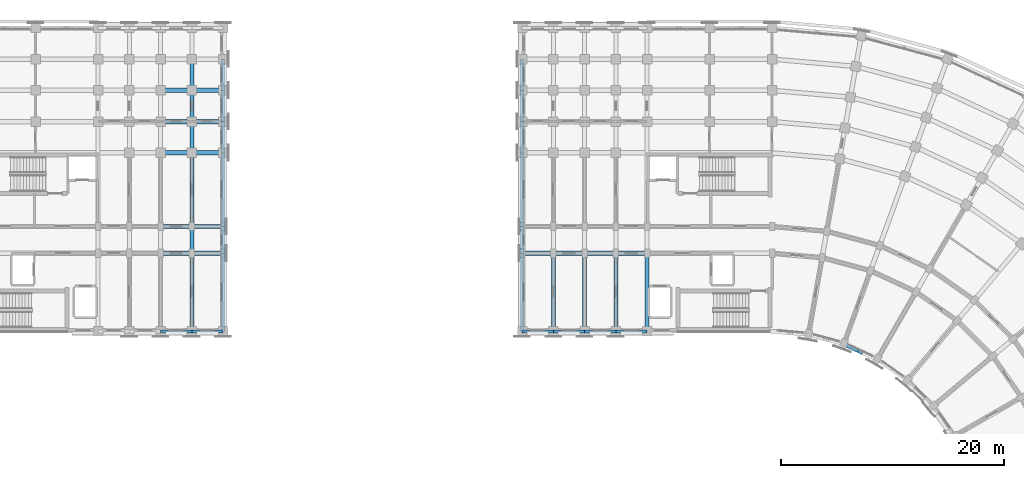
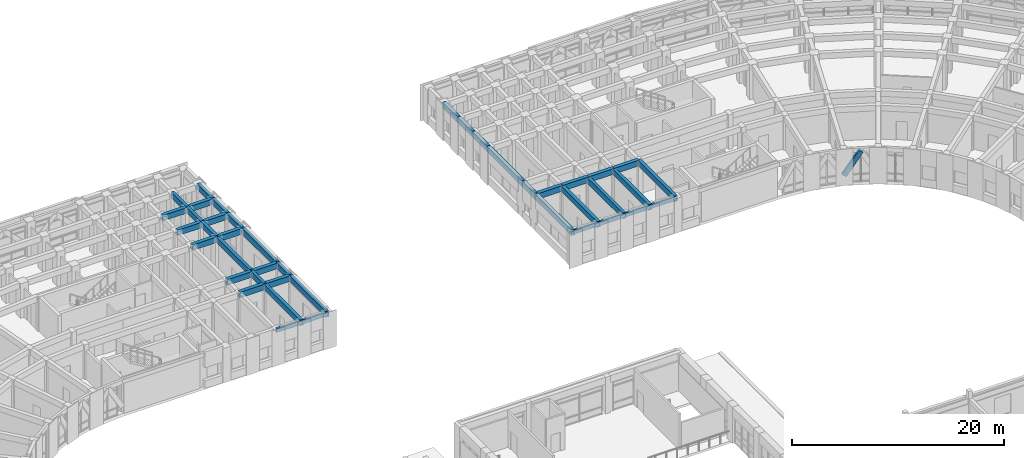
# One storey, part 28 of 97: 43 beams.
"""IFC4 building model written with IfcOpenShell, lengths in metres."""

from ifc_helpers import new_model, si_unit, direction, frame, origin, origin_2d, place, context, subcontext, project, spatial, rectangle, extrude, material, material_profile, profile_set, type_object, element, save


model = new_model("IFC4")

# Units and contexts
model_context = context("Model", 3, precision=1e-05, world=origin(), true_north=direction((0.0, 1.0)))
body_context = subcontext(model_context, "Body", "Model", "MODEL_VIEW")
ifc_project = project(units=[si_unit("LENGTHUNIT", "METRE"), si_unit("AREAUNIT", "SQUARE_METRE"), si_unit("VOLUMEUNIT", "CUBIC_METRE"), si_unit("PLANEANGLEUNIT", "RADIAN"), si_unit("MASSUNIT", "GRAM", prefix="KILO")], contexts=[model_context])

# Site, building, storey
site_placement = place(None, origin())
site = spatial("IfcSite", under=ifc_project, at=site_placement, CompositionType="ELEMENT")
building_placement = place(site_placement, origin())
building = spatial("IfcBuilding", under=site, at=building_placement, Name="Kiranvali Square Residences", CompositionType="ELEMENT")
storey_placement = place(building_placement, frame((0.0, 0.0, 4.5)))
storey = spatial("IfcBuildingStorey", under=building, at=storey_placement, Name="L01", CompositionType="ELEMENT", Elevation=4.5)

# Beams
ifc_material_1 = material(Name="Concrete M40 (40 MPa)", Category="concrete")
ifc_material_profile_1 = material_profile(ifc_material_1, rectangle(XDim=0.35009765625, YDim=0.5, at=origin_2d()), Name="RC 350x500")
ifc_profile_set_1 = profile_set([ifc_material_profile_1], Name="Concrete M40 (40 MPa)")
beam_type_1 = type_object("IfcBeamType", Name="AR-M40-350x500", PredefinedType="USERDEFINED", material=ifc_profile_set_1)
beam_1_placement = place(storey_placement, frame((126.26611328125, 105.44921875, 0.89990234375), z_axis=(0.455517776274, -0.212370292662, 0.864524386176), x_axis=(0.422551033128, 0.906339133218, 0.0)))
element("IfcBeam", 1, at=beam_1_placement, inside=storey, type_object=beam_type_1, Name="Classical pointed Ottoman arch rib ARCH-B-CRV-0-02.1", ObjectType="ARCH RIB", PredefinedType="USERDEFINED", context=body_context, shape_type="SweptSolid", body=[
    extrude(rectangle(XDim=0.35009765625, YDim=0.5, at=origin_2d()), origin(), (0.0, 0.0, 1.0), 3.180908203125),
])
ifc_material_profile_2 = material_profile(ifc_material_1, rectangle(XDim=0.35009765625, YDim=0.64990234375, at=origin_2d()), Name="RC 350x650")
ifc_profile_set_2 = profile_set([ifc_material_profile_2], Name="Concrete M40 (40 MPa)")
beam_type_2 = type_object("IfcBeamType", Name="BM-M40-350x650", PredefinedType="BEAM", material=ifc_profile_set_2)
beam_2_placement = place(storey_placement, frame((67.800048828125, 106.60009765625, 3.655029296875), z_axis=(0.0, 1.0, 0.0), x_axis=(-1.0, 0.0, 0.0)))
element("IfcBeam", 2, at=beam_2_placement, inside=storey, type_object=beam_type_2, Name="L01 beam BM-A-L01-A1T4-01", PredefinedType="BEAM", context=body_context, shape_type="SweptSolid", body=[
    extrude(rectangle(XDim=0.35009765625, YDim=0.64990234375, at=origin_2d()), origin(), (0.0, 0.0, 1.0), 7.0),
])
beam_3_placement = place(storey_placement, frame((67.800048828125, 113.60009765625, 3.655029296875), z_axis=(0.0, 1.0, 0.0), x_axis=(-1.0, 0.0, 0.0)))
element("IfcBeam", 3, at=beam_3_placement, inside=storey, type_object=beam_type_2, Name="L01 beam BM-A-L01-A1T4-12", PredefinedType="BEAM", context=body_context, shape_type="SweptSolid", body=[
    extrude(rectangle(XDim=0.35009765625, YDim=0.64990234375, at=origin_2d()), origin(), (0.0, 0.0, 1.0), 2.39990234375),
])
beam_4_placement = place(storey_placement, frame((67.800048828125, 116.0, 3.655029296875), z_axis=(0.0, 1.0, 0.0), x_axis=(-1.0, 0.0, 0.0)))
element("IfcBeam", 4, at=beam_4_placement, inside=storey, type_object=beam_type_2, Name="L01 beam BM-A-L01-A1T4-23", PredefinedType="BEAM", context=body_context, shape_type="SweptSolid", body=[
    extrude(rectangle(XDim=0.35009765625, YDim=0.64990234375, at=origin_2d()), origin(), (0.0, 0.0, 1.0), 6.60009765625),
])
beam_5_placement = place(storey_placement, frame((67.800048828125, 122.60009765625, 3.655029296875), z_axis=(0.0, 1.0, 0.0), x_axis=(-1.0, 0.0, 0.0)))
element("IfcBeam", 5, at=beam_5_placement, inside=storey, type_object=beam_type_2, Name="L01 beam BM-A-L01-A1T4-34", PredefinedType="BEAM", context=body_context, shape_type="SweptSolid", body=[
    extrude(rectangle(XDim=0.35009765625, YDim=0.64990234375, at=origin_2d()), origin(), (0.0, 0.0, 1.0), 2.7998046875),
])
for number, where, z_axis, x_axis, name in (
    (6, (67.800048828125, 125.39990234375, 3.655029296875), (0.0, 1.0, 0.0), (-1.0, 0.0, 0.0), "L01 beam BM-A-L01-A1T4-45"),
    (7, (67.800048828125, 128.199951171875, 3.655029296875), (0.0, 1.0, 0.0), (-1.0, 0.0, 0.0), "L01 beam BM-A-L01-A1T4-56"),
):
    element("IfcBeam", number, at=place(storey_placement, frame(where, z_axis=z_axis, x_axis=x_axis)), inside=storey, type_object=beam_type_2, Name=name, PredefinedType="BEAM", context=body_context, shape_type="SweptSolid", body=[
        extrude(rectangle(XDim=0.35009765625, YDim=0.64990234375, at=origin_2d()), origin(), (0.0, 0.0, 1.0), 2.800048828125),
    ])
beam_6_placement = place(storey_placement, frame((70.60009765625, 106.60009765625, 3.655029296875), z_axis=(0.0, 1.0, 0.0), x_axis=(-1.0, 0.0, 0.0)))
element("IfcBeam", 8, at=beam_6_placement, inside=storey, type_object=beam_type_2, Name="L01 beam BM-A-L01-A1T5-01", PredefinedType="BEAM", context=body_context, shape_type="SweptSolid", body=[
    extrude(rectangle(XDim=0.35009765625, YDim=0.64990234375, at=origin_2d()), origin(), (0.0, 0.0, 1.0), 7.0),
])
beam_7_placement = place(storey_placement, frame((70.60009765625, 113.60009765625, 3.655029296875), z_axis=(0.0, 1.0, 0.0), x_axis=(-1.0, 0.0, 0.0)))
element("IfcBeam", 9, at=beam_7_placement, inside=storey, type_object=beam_type_2, Name="L01 beam BM-A-L01-A1T5-12", PredefinedType="BEAM", context=body_context, shape_type="SweptSolid", body=[
    extrude(rectangle(XDim=0.35009765625, YDim=0.64990234375, at=origin_2d()), origin(), (0.0, 0.0, 1.0), 2.39990234375),
])
beam_8_placement = place(storey_placement, frame((70.60009765625, 116.0, 3.655029296875), z_axis=(0.0, 1.0, 0.0), x_axis=(-1.0, 0.0, 0.0)))
element("IfcBeam", 10, at=beam_8_placement, inside=storey, type_object=beam_type_2, Name="L01 beam BM-A-L01-A1T5-23", PredefinedType="BEAM", context=body_context, shape_type="SweptSolid", body=[
    extrude(rectangle(XDim=0.35009765625, YDim=0.64990234375, at=origin_2d()), origin(), (0.0, 0.0, 1.0), 6.60009765625),
])
beam_9_placement = place(storey_placement, frame((70.60009765625, 122.60009765625, 3.655029296875), z_axis=(0.0, 1.0, 0.0), x_axis=(-1.0, 0.0, 0.0)))
element("IfcBeam", 11, at=beam_9_placement, inside=storey, type_object=beam_type_2, Name="L01 beam BM-A-L01-A1T5-34", PredefinedType="BEAM", context=body_context, shape_type="SweptSolid", body=[
    extrude(rectangle(XDim=0.35009765625, YDim=0.64990234375, at=origin_2d()), origin(), (0.0, 0.0, 1.0), 2.7998046875),
])
for number, where, z_axis, x_axis, name in (
    (12, (70.60009765625, 125.39990234375, 3.655029296875), (0.0, 1.0, 0.0), (-1.0, 0.0, 0.0), "L01 beam BM-A-L01-A1T5-45"),
    (13, (70.60009765625, 128.199951171875, 3.655029296875), (0.0, 1.0, 0.0), (-1.0, 0.0, 0.0), "L01 beam BM-A-L01-A1T5-56"),
):
    element("IfcBeam", number, at=place(storey_placement, frame(where, z_axis=z_axis, x_axis=x_axis)), inside=storey, type_object=beam_type_2, Name=name, PredefinedType="BEAM", context=body_context, shape_type="SweptSolid", body=[
        extrude(rectangle(XDim=0.35009765625, YDim=0.64990234375, at=origin_2d()), origin(), (0.0, 0.0, 1.0), 2.800048828125),
    ])
for number, where, z_axis, x_axis, name in (
    (14, (108.60009765625, 106.60009765625, 3.655029296875), (0.0, 1.0, 0.0), (-1.0, 0.0, 0.0), "L01 beam BM-B-L01-A1T1-01"),
    (15, (105.800048828125, 106.60009765625, 3.655029296875), (0.0, 1.0, 0.0), (-1.0, 0.0, 0.0), "L01 beam BM-B-L01-A1T2-01"),
    (16, (103.0, 106.60009765625, 3.655029296875), (0.0, 1.0, 0.0), (-1.0, 0.0, 0.0), "L01 beam BM-B-L01-A1T3-01"),
    (17, (100.199951171875, 106.60009765625, 3.655029296875), (0.0, 1.0, 0.0), (-1.0, 0.0, 0.0), "L01 beam BM-B-L01-A1T4-01"),
    (18, (97.39990234375, 106.60009765625, 3.655029296875), (0.0, 1.0, 0.0), (-1.0, 0.0, 0.0), "L01 beam BM-B-L01-A1T5-01"),
):
    element("IfcBeam", number, at=place(storey_placement, frame(where, z_axis=z_axis, x_axis=x_axis)), inside=storey, type_object=beam_type_2, Name=name, PredefinedType="BEAM", context=body_context, shape_type="SweptSolid", body=[
        extrude(rectangle(XDim=0.35009765625, YDim=0.64990234375, at=origin_2d()), origin(), (0.0, 0.0, 1.0), 7.0),
    ])
beam_10_placement = place(storey_placement, frame((97.39990234375, 113.60009765625, 3.655029296875), z_axis=(0.0, 1.0, 0.0), x_axis=(-1.0, 0.0, 0.0)))
element("IfcBeam", 19, at=beam_10_placement, inside=storey, type_object=beam_type_2, Name="L01 beam BM-B-L01-A1T5-12", PredefinedType="BEAM", context=body_context, shape_type="SweptSolid", body=[
    extrude(rectangle(XDim=0.35009765625, YDim=0.64990234375, at=origin_2d()), origin(), (0.0, 0.0, 1.0), 2.39990234375),
])
beam_11_placement = place(storey_placement, frame((97.39990234375, 116.0, 3.655029296875), z_axis=(0.0, 1.0, 0.0), x_axis=(-1.0, 0.0, 0.0)))
element("IfcBeam", 20, at=beam_11_placement, inside=storey, type_object=beam_type_2, Name="L01 beam BM-B-L01-A1T5-23", PredefinedType="BEAM", context=body_context, shape_type="SweptSolid", body=[
    extrude(rectangle(XDim=0.35009765625, YDim=0.64990234375, at=origin_2d()), origin(), (0.0, 0.0, 1.0), 6.60009765625),
])
beam_12_placement = place(storey_placement, frame((97.39990234375, 122.60009765625, 3.655029296875), z_axis=(0.0, 1.0, 0.0), x_axis=(-1.0, 0.0, 0.0)))
element("IfcBeam", 21, at=beam_12_placement, inside=storey, type_object=beam_type_2, Name="L01 beam BM-B-L01-A1T5-34", PredefinedType="BEAM", context=body_context, shape_type="SweptSolid", body=[
    extrude(rectangle(XDim=0.35009765625, YDim=0.64990234375, at=origin_2d()), origin(), (0.0, 0.0, 1.0), 2.7998046875),
])
for number, where, z_axis, x_axis, name in (
    (22, (97.39990234375, 125.39990234375, 3.655029296875), (0.0, 1.0, 0.0), (-1.0, 0.0, 0.0), "L01 beam BM-B-L01-A1T5-45"),
    (23, (97.39990234375, 128.199951171875, 3.655029296875), (0.0, 1.0, 0.0), (-1.0, 0.0, 0.0), "L01 beam BM-B-L01-A1T5-56"),
):
    element("IfcBeam", number, at=place(storey_placement, frame(where, z_axis=z_axis, x_axis=x_axis)), inside=storey, type_object=beam_type_2, Name=name, PredefinedType="BEAM", context=body_context, shape_type="SweptSolid", body=[
        extrude(rectangle(XDim=0.35009765625, YDim=0.64990234375, at=origin_2d()), origin(), (0.0, 0.0, 1.0), 2.800048828125),
    ])
ifc_material_2 = material(Name="Concrete M45 (45 MPa)", Category="concrete")
ifc_material_profile_3 = material_profile(ifc_material_2, rectangle(XDim=0.39990234375, YDim=0.64990234375, at=origin_2d()), Name="RC 400x650")
ifc_profile_set_3 = profile_set([ifc_material_profile_3], Name="Concrete M45 (45 MPa)")
beam_type_3 = type_object("IfcBeamType", Name="BM-M45-400x650", PredefinedType="BEAM", material=ifc_profile_set_3)
for number, where, z_axis, x_axis, name in (
    (24, (65.0, 113.60009765625, 3.655029296875), (1.0, 0.0, 0.0), (0.0, 1.0, 0.0), "L01 beam BM-A-L01-A1U3-R1"),
    (25, (67.800048828125, 113.60009765625, 3.655029296875), (1.0, 0.0, 0.0), (0.0, 1.0, 0.0), "L01 beam BM-A-L01-A1U4-R1"),
    (26, (65.0, 116.0, 3.655029296875), (1.0, 0.0, 0.0), (0.0, 1.0, 0.0), "L01 beam BM-A-L01-A1U3-R2"),
    (27, (67.800048828125, 116.0, 3.655029296875), (1.0, 0.0, 0.0), (0.0, 1.0, 0.0), "L01 beam BM-A-L01-A1U4-R2"),
    (28, (65.0, 122.60009765625, 3.655029296875), (1.0, 0.0, 0.0), (0.0, 1.0, 0.0), "L01 beam BM-A-L01-A1U3-R3"),
    (29, (67.800048828125, 122.60009765625, 3.655029296875), (1.0, 0.0, 0.0), (0.0, 1.0, 0.0), "L01 beam BM-A-L01-A1U4-R3"),
    (30, (65.0, 125.39990234375, 3.655029296875), (1.0, 0.0, 0.0), (0.0, 1.0, 0.0), "L01 beam BM-A-L01-A1U4-R4"),
    (31, (67.800048828125, 125.39990234375, 3.655029296875), (1.0, 0.0, 0.0), (0.0, 1.0, 0.0), "L01 beam BM-A-L01-A1U5-R4"),
    (32, (65.0, 128.199951171875, 3.655029296875), (1.0, 0.0, 0.0), (0.0, 1.0, 0.0), "L01 beam BM-A-L01-A1U4-R5"),
    (33, (67.800048828125, 128.199951171875, 3.655029296875), (1.0, 0.0, 0.0), (0.0, 1.0, 0.0), "L01 beam BM-A-L01-A1U5-R5"),
    (34, (108.60009765625, 113.60009765625, 3.655029296875), (-1.0, 0.0, 0.0), (0.0, -1.0, 0.0), "L01 beam BM-B-L01-A1U1-R1"),
    (35, (105.800048828125, 113.60009765625, 3.655029296875), (-1.0, 0.0, 0.0), (0.0, -1.0, 0.0), "L01 beam BM-B-L01-A1U2-R1"),
    (36, (103.0, 113.60009765625, 3.655029296875), (-1.0, 0.0, 0.0), (0.0, -1.0, 0.0), "L01 beam BM-B-L01-A1U3-R1"),
    (37, (100.199951171875, 113.60009765625, 3.655029296875), (-1.0, 0.0, 0.0), (0.0, -1.0, 0.0), "L01 beam BM-B-L01-A1U4-R1"),
):
    element("IfcBeam", number, at=place(storey_placement, frame(where, z_axis=z_axis, x_axis=x_axis)), inside=storey, type_object=beam_type_3, Name=name, PredefinedType="BEAM", context=body_context, shape_type="SweptSolid", body=[
        extrude(rectangle(XDim=0.39990234375, YDim=0.64990234375, at=origin_2d()), origin(), (0.0, 0.0, 1.0), 2.800048828125),
    ])
ifc_material_profile_4 = material_profile(ifc_material_1, rectangle(XDim=0.25, YDim=0.449951171875, at=origin_2d()), Name="RC 250x450")
ifc_profile_set_4 = profile_set([ifc_material_profile_4], Name="Concrete M40 (40 MPa)")
beam_type_4 = type_object("IfcBeamType", Name="SPN-M40-250x450", PredefinedType="SPANDREL", material=ifc_profile_set_4)
for number, where, z_axis, x_axis, name in (
    (38, (65.0, 106.60009765625, 3.7548828125), (1.0, 0.0, 0.0), (0.0, 1.0, 0.0), "L01 beam BM-A-L01-A1U3-R0"),
    (39, (67.800048828125, 106.60009765625, 3.7548828125), (1.0, 0.0, 0.0), (0.0, 1.0, 0.0), "L01 beam BM-A-L01-A1U4-R0"),
    (40, (108.60009765625, 106.60009765625, 3.7548828125), (-1.0, 0.0, 0.0), (0.0, -1.0, 0.0), "L01 beam BM-B-L01-A1U1-R0"),
    (41, (105.800048828125, 106.60009765625, 3.7548828125), (-1.0, 0.0, 0.0), (0.0, -1.0, 0.0), "L01 beam BM-B-L01-A1U2-R0"),
    (42, (103.0, 106.60009765625, 3.7548828125), (-1.0, 0.0, 0.0), (0.0, -1.0, 0.0), "L01 beam BM-B-L01-A1U3-R0"),
    (43, (100.199951171875, 106.60009765625, 3.7548828125), (-1.0, 0.0, 0.0), (0.0, -1.0, 0.0), "L01 beam BM-B-L01-A1U4-R0"),
):
    element("IfcBeam", number, at=place(storey_placement, frame(where, z_axis=z_axis, x_axis=x_axis)), inside=storey, type_object=beam_type_4, Name=name, PredefinedType="SPANDREL", context=body_context, shape_type="SweptSolid", body=[
        extrude(rectangle(XDim=0.25, YDim=0.449951171875, at=origin_2d()), origin(), (0.0, 0.0, 1.0), 2.800048828125),
    ])

save(model, "model.ifc")
